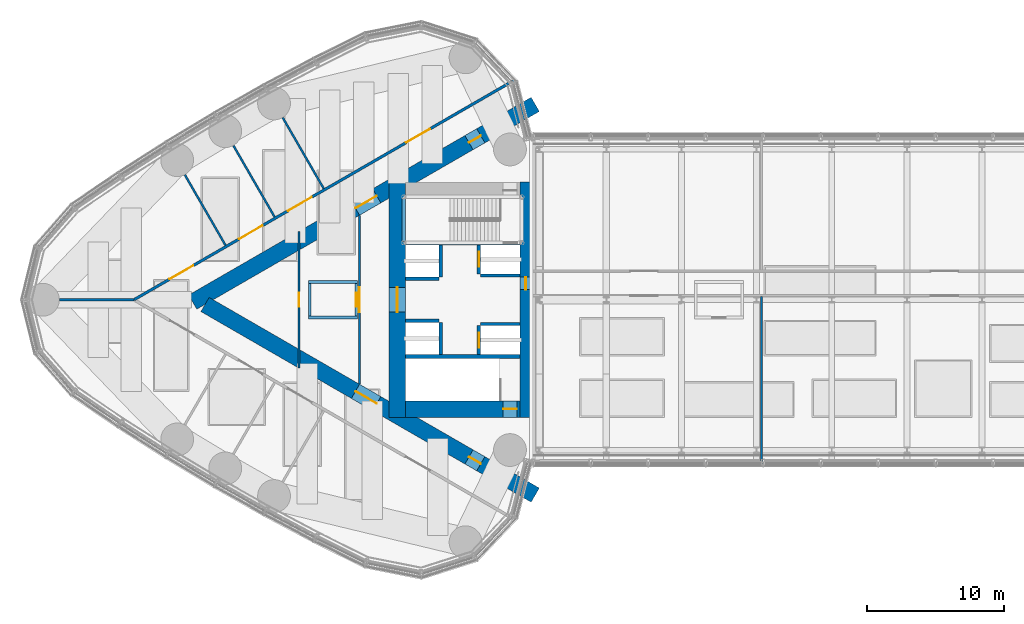
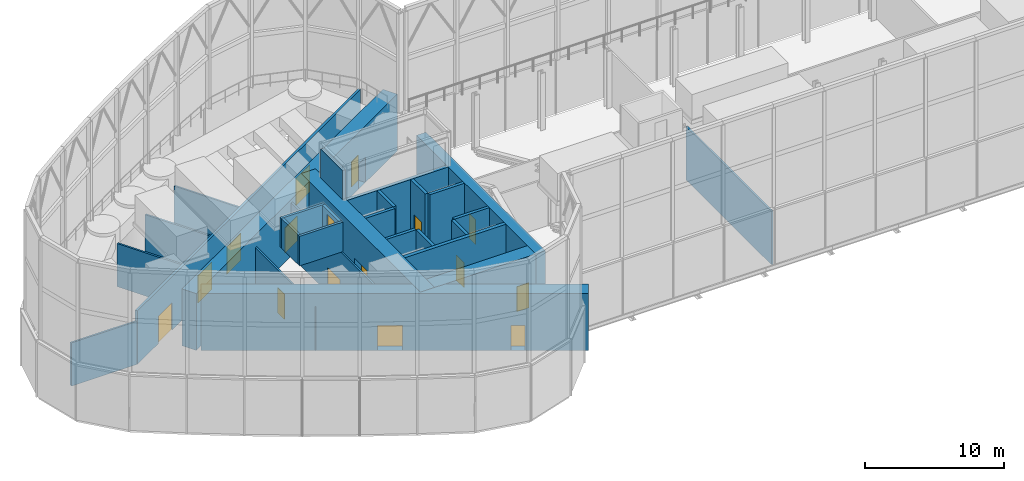
# One storey, part 27 of 33: 28 walls, 16 doors, 16 openings.
"""IFC4 building model written with IfcOpenShell, lengths in metres."""

from ifc_helpers import new_model, si_unit, direction, frame, frame_2d, origin, place, context, subcontext, project, spatial, rectangle, extrude, material, layer, layer_set, type_object, element, fill, save


model = new_model("IFC4")

# Units and contexts
model_context = context("Model", 3, precision=1e-05, world=origin(), true_north=direction((0.0, 1.0)))
body_context = subcontext(model_context, "Body", "Model", "MODEL_VIEW")
ifc_project = project(units=[si_unit("LENGTHUNIT", "METRE"), si_unit("AREAUNIT", "SQUARE_METRE"), si_unit("VOLUMEUNIT", "CUBIC_METRE"), si_unit("PLANEANGLEUNIT", "RADIAN"), si_unit("MASSUNIT", "GRAM", prefix="KILO")], contexts=[model_context])

# Site, building, storey
site_placement = place(None, origin())
site = spatial("IfcSite", under=ifc_project, at=site_placement, CompositionType="ELEMENT")
building_placement = place(site_placement, origin())
building = spatial("IfcBuilding", under=site, at=building_placement, Name="Lancet Gate Hotel", CompositionType="ELEMENT")
storey_placement = place(building_placement, frame((0.0, 0.0, 268.300048828125)))
storey = spatial("IfcBuildingStorey", under=building, at=storey_placement, Name="L70", CompositionType="ELEMENT", Elevation=268.300048828125)

# Wall, openings, doors
ifc_material_1 = material(Name="Concrete C70/85", Category="concrete")
ifc_layer_1 = layer(ifc_material_1, 1.199951171875)
ifc_layer_set_1 = layer_set([ifc_layer_1], Name="Buttress wall 1200")
wall_type_1 = type_object("IfcWallType", Name="Buttress wall 1200", PredefinedType="SHEAR", material=ifc_layer_set_1)
wall_1_placement = place(storey_placement, frame((-27.199951171875, 14.300048828125, 0.0), z_axis=(0.0, 0.0, 1.0), x_axis=(-0.866026593062, -0.499997940104, 0.0)))
wall_1 = element("IfcWall", 1, at=wall_1_placement, inside=storey, type_object=wall_type_1, Name="T1 buttress wall S L70", PredefinedType="SHEAR", context=body_context, shape_type="SweptSolid", body=[
    extrude(rectangle(XDim=28.9462890625, YDim=1.199951171875, at=frame_2d((14.47314453125, 0.0))), origin(), (0.0, 0.0, 1.0), 5.0),
])
opening_1_placement = place(wall_1_placement, frame((4.60009765625, 0.0, 0.0)))
opening_1 = element("IfcOpeningElement", 2, at=opening_1_placement, cuts=wall_1, Name="Opening T1-L70-LS", PredefinedType="OPENING", context=body_context, shape_type="SweptSolid", body=[
    extrude(rectangle(XDim=1.0, YDim=2.199951171875, at=frame_2d((0.5, 1.10009765625))), frame((0.0, 0.60986328125, 0.0), z_axis=(0.0, -1.0, 0.0), x_axis=(1.0, 0.0, 0.0)), (0.0, 0.0, 1.0), 1.219970703125),
])
opening_2_placement = place(wall_1_placement, frame((13.39453125, 0.0, 0.0)))
opening_2 = element("IfcOpeningElement", 3, at=opening_2_placement, cuts=wall_1, Name="Opening T1-L70-LHS", PredefinedType="OPENING", context=body_context, shape_type="SweptSolid", body=[
    extrude(rectangle(XDim=1.800048828125, YDim=2.199951171875, at=frame_2d((0.89990234375, 1.10009765625))), frame((0.0, 0.60986328125, 0.0), z_axis=(0.0, -1.0, 0.0), x_axis=(1.0, 0.0, 0.0)), (0.0, 0.0, 1.0), 1.219970703125),
])
ifc_material_2 = material(Name="Timber door set", Category="wood")
door_type_1 = type_object("IfcDoorType", Name="Lobby double door 1800", OperationType="DOUBLE_DOOR_SINGLE_SWING", PredefinedType="DOOR", material=ifc_material_2)
door_1_placement = place(opening_2_placement, origin())
door_1 = element("IfcDoor", 4, at=door_1_placement, inside=storey, type_object=door_type_1, Name="T1-L70-LHS", OperationType="DOUBLE_DOOR_SINGLE_SWING", OverallHeight=2.199951171875, OverallWidth=1.800048828125, PredefinedType="DOOR", context=body_context, shape_type="SweptSolid", body=[
    extrude(rectangle(XDim=1.800048828125, YDim=2.199951171875, at=frame_2d((0.89990234375, 1.10009765625))), frame((0.0, 0.02490234375, 0.0), z_axis=(0.0, -1.0, 0.0), x_axis=(1.0, 0.0, 0.0)), (0.0, 0.0, 1.0), 0.050048828125),
])
fill(opening_2, door_1)
ifc_material_3 = material(Name="Timber door set", Category="wood")
door_type_2 = type_object("IfcDoorType", Name="Stair lobby door 1000", OperationType="SINGLE_SWING_LEFT", PredefinedType="DOOR", material=ifc_material_3)
door_2_placement = place(opening_1_placement, origin())
door_2 = element("IfcDoor", 5, at=door_2_placement, inside=storey, type_object=door_type_2, Name="T1-L70-LS", OperationType="SINGLE_SWING_LEFT", OverallHeight=2.199951171875, OverallWidth=1.0, PredefinedType="DOOR", context=body_context, shape_type="SweptSolid", body=[
    extrude(rectangle(XDim=1.0, YDim=2.199951171875, at=frame_2d((0.5, 1.10009765625))), frame((0.0, 0.02490234375, 0.0), z_axis=(0.0, -1.0, 0.0), x_axis=(1.0, 0.0, 0.0)), (0.0, 0.0, 1.0), 0.050048828125),
])
fill(opening_1, door_2)

wall_2_placement = place(storey_placement, frame((-27.199951171875, -14.300048828125, 0.0), z_axis=(0.0, 0.0, 1.0), x_axis=(-0.866024021859, 0.500002393557, 0.0)))
wall_2 = element("IfcWall", 6, at=wall_2_placement, inside=storey, type_object=wall_type_1, Name="T1 buttress wall N L70", PredefinedType="SHEAR", context=body_context, shape_type="SweptSolid", body=[
    extrude(rectangle(XDim=27.906982421875, YDim=1.199951171875, at=frame_2d((13.95361328125, 0.0))), origin(), (0.0, 0.0, 1.0), 5.0),
])
opening_3_placement = place(wall_2_placement, frame((4.60009765625, 0.0, 0.0)))
opening_3 = element("IfcOpeningElement", 7, at=opening_3_placement, cuts=wall_2, Name="Opening T1-L70-LN", PredefinedType="OPENING", context=body_context, shape_type="SweptSolid", body=[
    extrude(rectangle(XDim=1.0, YDim=2.199951171875, at=frame_2d((0.5, 1.10009765625))), frame((0.0, 0.60986328125, 0.0), z_axis=(0.0, -1.0, 0.0), x_axis=(1.0, 0.0, 0.0)), (0.0, 0.0, 1.0), 1.219970703125),
])
opening_4_placement = place(wall_2_placement, frame((13.39453125, 0.0, 0.0)))
opening_4 = element("IfcOpeningElement", 8, at=opening_4_placement, cuts=wall_2, Name="Opening T1-L70-LHN", PredefinedType="OPENING", context=body_context, shape_type="SweptSolid", body=[
    extrude(rectangle(XDim=1.800048828125, YDim=2.199951171875, at=frame_2d((0.89990234375, 1.10009765625))), frame((0.0, 0.60986328125, 0.0), z_axis=(0.0, -1.0, 0.0), x_axis=(1.0, 0.0, 0.0)), (0.0, 0.0, 1.0), 1.219970703125),
])
door_3_placement = place(opening_4_placement, origin())
door_3 = element("IfcDoor", 9, at=door_3_placement, inside=storey, type_object=door_type_1, Name="T1-L70-LHN", OperationType="DOUBLE_DOOR_SINGLE_SWING", OverallHeight=2.199951171875, OverallWidth=1.800048828125, PredefinedType="DOOR", context=body_context, shape_type="SweptSolid", body=[
    extrude(rectangle(XDim=1.800048828125, YDim=2.199951171875, at=frame_2d((0.89990234375, 1.10009765625))), frame((0.0, 0.02490234375, 0.0), z_axis=(0.0, -1.0, 0.0), x_axis=(1.0, 0.0, 0.0)), (0.0, 0.0, 1.0), 0.050048828125),
])
fill(opening_4, door_3)
door_4_placement = place(opening_3_placement, origin())
door_4 = element("IfcDoor", 10, at=door_4_placement, inside=storey, type_object=door_type_2, Name="T1-L70-LN", OperationType="SINGLE_SWING_LEFT", OverallHeight=2.199951171875, OverallWidth=1.0, PredefinedType="DOOR", context=body_context, shape_type="SweptSolid", body=[
    extrude(rectangle(XDim=1.0, YDim=2.199951171875, at=frame_2d((0.5, 1.10009765625))), frame((0.0, 0.02490234375, 0.0), z_axis=(0.0, -1.0, 0.0), x_axis=(1.0, 0.0, 0.0)), (0.0, 0.0, 1.0), 0.050048828125),
])
fill(opening_3, door_4)

# Wall, opening, door
ifc_material_4 = material(Name="Concrete C70/85", Category="concrete")
ifc_layer_2 = layer(ifc_material_4, 1.199951171875)
ifc_layer_set_2 = layer_set([ifc_layer_2], Name="Core wall 1200")
wall_type_2 = type_object("IfcWallType", Name="Core wall 1200", PredefinedType="SHEAR", material=ifc_layer_set_2)
wall_3_placement = place(storey_placement, frame((-37.300048828125, 8.60009765625, 0.0), z_axis=(0.0, 0.0, 1.0), x_axis=(0.0, -1.0, 0.0)))
wall_3 = element("IfcWall", 11, at=wall_3_placement, inside=storey, type_object=wall_type_2, Name="T1 core wall back L70", PredefinedType="SHEAR", context=body_context, shape_type="SweptSolid", body=[
    extrude(rectangle(XDim=17.2001953125, YDim=1.199951171875, at=frame_2d((8.60009765625, 0.0))), origin(), (0.0, 0.0, 1.0), 5.0),
])
opening_5_placement = place(wall_3_placement, frame((7.699951171875, 0.0, 0.0)))
opening_5 = element("IfcOpeningElement", 12, at=opening_5_placement, cuts=wall_3, Name="Opening T1-L70-LL", PredefinedType="OPENING", context=body_context, shape_type="SweptSolid", body=[
    extrude(rectangle(XDim=1.800048828125, YDim=2.199951171875, at=frame_2d((0.89990234375, 1.10009765625))), frame((0.0, 0.60986328125, 0.0), z_axis=(0.0, -1.0, 0.0), x_axis=(1.0, 0.0, 0.0)), (0.0, 0.0, 1.0), 1.219970703125),
])
door_5_placement = place(opening_5_placement, origin())
door_5 = element("IfcDoor", 13, at=door_5_placement, inside=storey, type_object=door_type_1, Name="T1-L70-LL", OperationType="DOUBLE_DOOR_SINGLE_SWING", OverallHeight=2.199951171875, OverallWidth=1.800048828125, PredefinedType="DOOR", context=body_context, shape_type="SweptSolid", body=[
    extrude(rectangle(XDim=1.800048828125, YDim=2.199951171875, at=frame_2d((0.89990234375, 1.10009765625))), frame((0.0, 0.02490234375, 0.0), z_axis=(0.0, -1.0, 0.0), x_axis=(1.0, 0.0, 0.0)), (0.0, 0.0, 1.0), 0.050048828125),
])
fill(opening_5, door_5)

wall_4_placement = place(storey_placement, frame((-28.300048828125, -8.0, 0.0), z_axis=(0.0, 0.0, 1.0), x_axis=(-1.0, 0.0, 0.0)))
wall_4 = element("IfcWall", 14, at=wall_4_placement, inside=storey, type_object=wall_type_2, Name="T1 core wall side-N L70", PredefinedType="SHEAR", context=body_context, shape_type="SweptSolid", body=[
    extrude(rectangle(XDim=8.39990234375, YDim=1.199951171875, at=frame_2d((4.199951171875, 0.0))), origin(), (0.0, 0.0, 1.0), 5.0),
])
opening_6_placement = place(wall_4_placement, frame((0.25, 0.0, 0.0)))
opening_6 = element("IfcOpeningElement", 15, at=opening_6_placement, cuts=wall_4, Name="Opening T1-L70-ST2", PredefinedType="OPENING", context=body_context, shape_type="SweptSolid", body=[
    extrude(rectangle(XDim=1.0, YDim=2.199951171875, at=frame_2d((0.5, 1.10009765625))), frame((0.0, 0.60986328125, 0.0), z_axis=(0.0, -1.0, 0.0), x_axis=(1.0, 0.0, 0.0)), (0.0, 0.0, 1.0), 1.219970703125),
])
ifc_material_5 = material(Name="Timber door set", Category="wood")
door_type_3 = type_object("IfcDoorType", Name="Stair door 1000", OperationType="SINGLE_SWING_RIGHT", PredefinedType="DOOR", material=ifc_material_5)
door_6_placement = place(opening_6_placement, origin())
door_6 = element("IfcDoor", 16, at=door_6_placement, inside=storey, type_object=door_type_3, Name="T1-L70-ST2", OperationType="SINGLE_SWING_RIGHT", OverallHeight=2.199951171875, OverallWidth=1.0, PredefinedType="DOOR", context=body_context, shape_type="SweptSolid", body=[
    extrude(rectangle(XDim=1.0, YDim=2.199951171875, at=frame_2d((0.5, 1.10009765625))), frame((0.0, 0.02490234375, 0.0), z_axis=(0.0, -1.0, 0.0), x_axis=(1.0, 0.0, 0.0)), (0.0, 0.0, 1.0), 0.050048828125),
])
fill(opening_6, door_6)

ifc_material_6 = material(Name="Concrete C70/85", Category="concrete")
ifc_layer_3 = layer(ifc_material_6, 0.800048828125)
ifc_layer_set_3 = layer_set([ifc_layer_3], Name="Core wall 800")
wall_type_3 = type_object("IfcWallType", Name="Core wall 800", PredefinedType="SHEAR", material=ifc_layer_set_3)
wall_5_placement = place(storey_placement, frame((-27.89990234375, 8.60009765625, 0.0), z_axis=(0.0, 0.0, 1.0), x_axis=(0.0, -1.0, 0.0)))
wall_5 = element("IfcWall", 17, at=wall_5_placement, inside=storey, type_object=wall_type_3, Name="T1 core wall front L70", PredefinedType="SHEAR", context=body_context, shape_type="SweptSolid", body=[
    extrude(rectangle(XDim=17.2001953125, YDim=0.800048828125, at=frame_2d((8.60009765625, 0.0))), origin(), (0.0, 0.0, 1.0), 5.0),
])
opening_7_placement = place(wall_5_placement, frame((6.949951171875, 0.0, 0.0)))
opening_7 = element("IfcOpeningElement", 18, at=opening_7_placement, cuts=wall_5, Name="Opening T1-L70-BR", PredefinedType="OPENING", context=body_context, shape_type="SweptSolid", body=[
    extrude(rectangle(XDim=0.89990234375, YDim=2.199951171875, at=frame_2d((0.449951171875, 1.10009765625))), frame((0.0, 0.409912109375, 0.0), z_axis=(0.0, -1.0, 0.0), x_axis=(1.0, 0.0, 0.0)), (0.0, 0.0, 1.0), 0.820068359375),
])
ifc_material_7 = material(Name="Steel door set", Category="steel")
door_type_4 = type_object("IfcDoorType", Name="Bridge fire door 900", OperationType="SINGLE_SWING_LEFT", PredefinedType="DOOR", material=ifc_material_7)
door_7_placement = place(opening_7_placement, origin())
door_7 = element("IfcDoor", 19, at=door_7_placement, inside=storey, type_object=door_type_4, Name="T1-L70-BR", OperationType="SINGLE_SWING_LEFT", OverallHeight=2.199951171875, OverallWidth=0.89990234375, PredefinedType="DOOR", context=body_context, shape_type="SweptSolid", body=[
    extrude(rectangle(XDim=0.89990234375, YDim=2.199951171875, at=frame_2d((0.449951171875, 1.10009765625))), frame((0.0, 0.02490234375, 0.0), z_axis=(0.0, -1.0, 0.0), x_axis=(1.0, 0.0, 0.0)), (0.0, 0.0, 1.0), 0.050048828125),
])
fill(opening_7, door_7)

# Wall, openings, doors
ifc_material_8 = material(Name="Gypsum board partition")
ifc_layer_4 = layer(ifc_material_8, 0.199951171875)
ifc_layer_set_4 = layer_set([ifc_layer_4], Name="Corridor wall 200")
wall_type_4 = type_object("IfcWallType", Name="Corridor wall 200", PredefinedType="PARTITIONING", material=ifc_layer_set_4)
wall_6_placement = place(storey_placement, frame((-28.737060546875, 16.068359375, 0.0), z_axis=(0.0, 0.0, 1.0), x_axis=(-0.866026057212, -0.499998868229, 0.0)))
wall_6 = element("IfcWall", 20, at=wall_6_placement, inside=storey, type_object=wall_type_4, Name="T1 corridor wall 200 L70", PredefinedType="PARTITIONING", context=body_context, shape_type="SweptSolid", body=[
    extrude(rectangle(XDim=32.13671875, YDim=0.199951171875, at=frame_2d((16.068359375, 0.0))), origin(), (0.0, 0.0, 1.0), 4.699951171875),
])
opening_8_placement = place(wall_6_placement, frame((7.1337890625, 0.0, 0.0)))
opening_8 = element("IfcOpeningElement", 21, at=opening_8_placement, cuts=wall_6, Name="Opening T1-L70-K201", PredefinedType="OPENING", context=body_context, shape_type="SweptSolid", body=[
    extrude(rectangle(XDim=2.0, YDim=2.39990234375, at=frame_2d((1.0, 1.199951171875))), frame((0.0, 0.10986328125, 0.0), z_axis=(0.0, -1.0, 0.0), x_axis=(1.0, 0.0, 0.0)), (0.0, 0.0, 1.0), 0.219970703125),
])
opening_9_placement = place(wall_6_placement, frame((17.117431640625, 0.0, 0.0)))
opening_9 = element("IfcOpeningElement", 22, at=opening_9_placement, cuts=wall_6, Name="Opening T1-L70-K202", PredefinedType="OPENING", context=body_context, shape_type="SweptSolid", body=[
    extrude(rectangle(XDim=2.0, YDim=2.39990234375, at=frame_2d((1.0, 1.199951171875))), frame((0.0, 0.10986328125, 0.0), z_axis=(0.0, -1.0, 0.0), x_axis=(1.0, 0.0, 0.0)), (0.0, 0.0, 1.0), 0.219970703125),
])
opening_10_placement = place(wall_6_placement, frame((21.26611328125, 0.0, 0.0)))
opening_10 = element("IfcOpeningElement", 23, at=opening_10_placement, cuts=wall_6, Name="Opening T1-L70-K203", PredefinedType="OPENING", context=body_context, shape_type="SweptSolid", body=[
    extrude(rectangle(XDim=2.0, YDim=2.39990234375, at=frame_2d((1.0, 1.199951171875))), frame((0.0, 0.10986328125, 0.0), z_axis=(0.0, -1.0, 0.0), x_axis=(1.0, 0.0, 0.0)), (0.0, 0.0, 1.0), 0.219970703125),
])
opening_11_placement = place(wall_6_placement, frame((27.126220703125, 0.0, 0.0)))
opening_11 = element("IfcOpeningElement", 24, at=opening_11_placement, cuts=wall_6, Name="Opening T1-L70-K204", PredefinedType="OPENING", context=body_context, shape_type="SweptSolid", body=[
    extrude(rectangle(XDim=2.0, YDim=2.39990234375, at=frame_2d((1.0, 1.199951171875))), frame((0.0, 0.10986328125, 0.0), z_axis=(0.0, -1.0, 0.0), x_axis=(1.0, 0.0, 0.0)), (0.0, 0.0, 1.0), 0.219970703125),
])
ifc_material_9 = material(Name="Timber door set", Category="wood")
door_type_5 = type_object("IfcDoorType", Name="Plant room double door 2000", OperationType="DOUBLE_DOOR_SINGLE_SWING", PredefinedType="DOOR", material=ifc_material_9)
door_8_placement = place(opening_8_placement, origin())
door_8 = element("IfcDoor", 25, at=door_8_placement, inside=storey, type_object=door_type_5, Name="T1-L70-K201", OperationType="DOUBLE_DOOR_SINGLE_SWING", OverallHeight=2.39990234375, OverallWidth=2.0, PredefinedType="DOOR", context=body_context, shape_type="SweptSolid", body=[
    extrude(rectangle(XDim=2.0, YDim=2.39990234375, at=frame_2d((1.0, 1.199951171875))), frame((0.0, 0.02490234375, 0.0), z_axis=(0.0, -1.0, 0.0), x_axis=(1.0, 0.0, 0.0)), (0.0, 0.0, 1.0), 0.050048828125),
])
fill(opening_8, door_8)
door_9_placement = place(opening_9_placement, origin())
door_9 = element("IfcDoor", 26, at=door_9_placement, inside=storey, type_object=door_type_5, Name="T1-L70-K202", OperationType="DOUBLE_DOOR_SINGLE_SWING", OverallHeight=2.39990234375, OverallWidth=2.0, PredefinedType="DOOR", context=body_context, shape_type="SweptSolid", body=[
    extrude(rectangle(XDim=2.0, YDim=2.39990234375, at=frame_2d((1.0, 1.199951171875))), frame((0.0, 0.02490234375, 0.0), z_axis=(0.0, -1.0, 0.0), x_axis=(1.0, 0.0, 0.0)), (0.0, 0.0, 1.0), 0.050048828125),
])
fill(opening_9, door_9)
door_10_placement = place(opening_10_placement, origin())
door_10 = element("IfcDoor", 27, at=door_10_placement, inside=storey, type_object=door_type_5, Name="T1-L70-K203", OperationType="DOUBLE_DOOR_SINGLE_SWING", OverallHeight=2.39990234375, OverallWidth=2.0, PredefinedType="DOOR", context=body_context, shape_type="SweptSolid", body=[
    extrude(rectangle(XDim=2.0, YDim=2.39990234375, at=frame_2d((1.0, 1.199951171875))), frame((0.0, 0.02490234375, 0.0), z_axis=(0.0, -1.0, 0.0), x_axis=(1.0, 0.0, 0.0)), (0.0, 0.0, 1.0), 0.050048828125),
])
fill(opening_10, door_10)
door_11_placement = place(opening_11_placement, origin())
door_11 = element("IfcDoor", 28, at=door_11_placement, inside=storey, type_object=door_type_5, Name="T1-L70-K204", OperationType="DOUBLE_DOOR_SINGLE_SWING", OverallHeight=2.39990234375, OverallWidth=2.0, PredefinedType="DOOR", context=body_context, shape_type="SweptSolid", body=[
    extrude(rectangle(XDim=2.0, YDim=2.39990234375, at=frame_2d((1.0, 1.199951171875))), frame((0.0, 0.02490234375, 0.0), z_axis=(0.0, -1.0, 0.0), x_axis=(1.0, 0.0, 0.0)), (0.0, 0.0, 1.0), 0.050048828125),
])
fill(opening_11, door_11)

# Wall, opening, door
ifc_material_10 = material(Name="Concrete C50/60", Category="concrete")
ifc_layer_5 = layer(ifc_material_10, 0.25)
ifc_layer_set_5 = layer_set([ifc_layer_5], Name="Lift shaft wall 250")
wall_type_5 = type_object("IfcWallType", Name="Lift shaft wall 250", PredefinedType="SHEAR", material=ifc_layer_set_5)
wall_7_placement = place(storey_placement, frame((-31.324951171875, 4.0, 0.0), z_axis=(0.0, 0.0, 1.0), x_axis=(0.0, -1.0, 0.0)))
wall_7 = element("IfcWall", 29, at=wall_7_placement, inside=storey, type_object=wall_type_5, Name="T1 core wall row1-S L70", PredefinedType="SHEAR", context=body_context, shape_type="SweptSolid", body=[
    extrude(rectangle(XDim=2.10009765625, YDim=0.25, at=frame_2d((1.050048828125, 0.0))), origin(), (0.0, 0.0, 1.0), 5.0),
])
opening_12_placement = place(wall_7_placement, frame((0.5, 0.0, 0.0)))
opening_12 = element("IfcOpeningElement", 30, at=opening_12_placement, cuts=wall_7, Name="Opening T1-SL1-L70", PredefinedType="OPENING", context=body_context, shape_type="SweptSolid", body=[
    extrude(rectangle(XDim=1.10009765625, YDim=2.199951171875, at=frame_2d((0.550048828125, 1.10009765625))), frame((0.0, 0.135009765625, 0.0), z_axis=(0.0, -1.0, 0.0), x_axis=(1.0, 0.0, 0.0)), (0.0, 0.0, 1.0), 0.27001953125),
])
ifc_material_11 = material(Name="Timber door set", Category="wood")
door_type_6 = type_object("IfcDoorType", Name="Service lift landing door 1100", OperationType="SLIDING_TO_LEFT", PredefinedType="USERDEFINED", material=ifc_material_11)
door_12_placement = place(opening_12_placement, origin())
door_12 = element("IfcDoor", 31, at=door_12_placement, inside=storey, type_object=door_type_6, Name="T1-SL1-L70", ObjectType="LIFT LANDING DOOR", OperationType="SLIDING_TO_LEFT", OverallHeight=2.199951171875, OverallWidth=1.10009765625, PredefinedType="USERDEFINED", context=body_context, shape_type="SweptSolid", body=[
    extrude(rectangle(XDim=1.10009765625, YDim=2.199951171875, at=frame_2d((0.550048828125, 1.10009765625))), frame((0.0, 0.02490234375, 0.0), z_axis=(0.0, -1.0, 0.0), x_axis=(1.0, 0.0, 0.0)), (0.0, 0.0, 1.0), 0.050048828125),
])
fill(opening_12, door_12)

# Walls
wall_8_placement = place(storey_placement, frame((-34.125, 4.0, 0.0), z_axis=(0.0, 0.0, 1.0), x_axis=(0.0, -1.0, 0.0)))
element("IfcWall", 32, at=wall_8_placement, inside=storey, type_object=wall_type_5, Name="T1 core wall row2-S L70", PredefinedType="SHEAR", context=body_context, shape_type="SweptSolid", body=[
    extrude(rectangle(XDim=2.35009765625, YDim=0.25, at=frame_2d((1.175048828125, 0.0))), origin(), (0.0, 0.0, 1.0), 5.0),
])
wall_9_placement = place(storey_placement, frame((-28.300048828125, 1.77490234375, 0.0), z_axis=(0.0, 0.0, 1.0), x_axis=(-1.0, 0.0, 0.0)))
element("IfcWall", 33, at=wall_9_placement, inside=storey, type_object=wall_type_5, Name="T1 core wall pass1-S L70", PredefinedType="SHEAR", context=body_context, shape_type="SweptSolid", body=[
    extrude(rectangle(XDim=2.89990234375, YDim=0.25, at=frame_2d((1.449951171875, 0.0))), origin(), (0.0, 0.0, 1.0), 5.0),
])
wall_10_placement = place(storey_placement, frame((-34.25, 1.52490234375, 0.0), z_axis=(0.0, 0.0, 1.0), x_axis=(-1.0, 0.0, 0.0)))
element("IfcWall", 34, at=wall_10_placement, inside=storey, type_object=wall_type_5, Name="T1 core wall pass2-S L70", PredefinedType="SHEAR", context=body_context, shape_type="SweptSolid", body=[
    extrude(rectangle(XDim=2.449951171875, YDim=0.25, at=frame_2d((1.22509765625, 0.0))), origin(), (0.0, 0.0, 1.0), 5.0),
])

# Wall, opening, door
wall_11_placement = place(storey_placement, frame((-31.324951171875, -1.89990234375, 0.0), z_axis=(0.0, 0.0, 1.0), x_axis=(0.0, -1.0, 0.0)))
wall_11 = element("IfcWall", 35, at=wall_11_placement, inside=storey, type_object=wall_type_5, Name="T1 core wall row1-N L70", PredefinedType="SHEAR", context=body_context, shape_type="SweptSolid", body=[
    extrude(rectangle(XDim=2.10009765625, YDim=0.25, at=frame_2d((1.050048828125, 0.0))), origin(), (0.0, 0.0, 1.0), 5.0),
])
opening_13_placement = place(wall_11_placement, frame((0.5, 0.0, 0.0)))
opening_13 = element("IfcOpeningElement", 36, at=opening_13_placement, cuts=wall_11, Name="Opening T1-FL2-L70", PredefinedType="OPENING", context=body_context, shape_type="SweptSolid", body=[
    extrude(rectangle(XDim=1.10009765625, YDim=2.199951171875, at=frame_2d((0.550048828125, 1.10009765625))), frame((0.0, 0.135009765625, 0.0), z_axis=(0.0, -1.0, 0.0), x_axis=(1.0, 0.0, 0.0)), (0.0, 0.0, 1.0), 0.27001953125),
])
ifc_material_12 = material(Name="Steel door set", Category="steel")
door_type_7 = type_object("IfcDoorType", Name="Firefighting lift landing door 1100", OperationType="SLIDING_TO_LEFT", PredefinedType="USERDEFINED", material=ifc_material_12)
door_13_placement = place(opening_13_placement, origin())
door_13 = element("IfcDoor", 37, at=door_13_placement, inside=storey, type_object=door_type_7, Name="T1-FL2-L70", ObjectType="LIFT LANDING DOOR", OperationType="SLIDING_TO_LEFT", OverallHeight=2.199951171875, OverallWidth=1.10009765625, PredefinedType="USERDEFINED", context=body_context, shape_type="SweptSolid", body=[
    extrude(rectangle(XDim=1.10009765625, YDim=2.199951171875, at=frame_2d((0.550048828125, 1.10009765625))), frame((0.0, 0.02490234375, 0.0), z_axis=(0.0, -1.0, 0.0), x_axis=(1.0, 0.0, 0.0)), (0.0, 0.0, 1.0), 0.050048828125),
])
fill(opening_13, door_13)

# Walls
wall_12_placement = place(storey_placement, frame((-34.125, -1.64990234375, 0.0), z_axis=(0.0, 0.0, 1.0), x_axis=(0.0, -1.0, 0.0)))
element("IfcWall", 38, at=wall_12_placement, inside=storey, type_object=wall_type_5, Name="T1 core wall row2-N L70", PredefinedType="SHEAR", context=body_context, shape_type="SweptSolid", body=[
    extrude(rectangle(XDim=2.35009765625, YDim=0.25, at=frame_2d((1.175048828125, 0.0))), origin(), (0.0, 0.0, 1.0), 5.0),
])
wall_13_placement = place(storey_placement, frame((-28.300048828125, -1.77490234375, 0.0), z_axis=(0.0, 0.0, 1.0), x_axis=(-1.0, 0.0, 0.0)))
element("IfcWall", 39, at=wall_13_placement, inside=storey, type_object=wall_type_5, Name="T1 core wall pass1-N L70", PredefinedType="SHEAR", context=body_context, shape_type="SweptSolid", body=[
    extrude(rectangle(XDim=2.89990234375, YDim=0.25, at=frame_2d((1.449951171875, 0.0))), origin(), (0.0, 0.0, 1.0), 5.0),
])
wall_14_placement = place(storey_placement, frame((-34.25, -1.52490234375, 0.0), z_axis=(0.0, 0.0, 1.0), x_axis=(-1.0, 0.0, 0.0)))
element("IfcWall", 40, at=wall_14_placement, inside=storey, type_object=wall_type_5, Name="T1 core wall pass2-N L70", PredefinedType="SHEAR", context=body_context, shape_type="SweptSolid", body=[
    extrude(rectangle(XDim=2.449951171875, YDim=0.25, at=frame_2d((1.22509765625, 0.0))), origin(), (0.0, 0.0, 1.0), 5.0),
])
ifc_material_13 = material(Name="Gypsum board partition")
ifc_layer_6 = layer(ifc_material_13, 0.14990234375)
ifc_layer_set_6 = layer_set([ifc_layer_6], Name="Party wall 150")
wall_type_6 = type_object("IfcWallType", Name="Party wall 150", PredefinedType="PARTITIONING", material=ifc_layer_set_6)
wall_15_placement = place(storey_placement, frame((-42.680419921875, 8.133544921875, 0.0), z_axis=(0.0, 0.0, 1.0), x_axis=(-0.499984479505, 0.866034364361, 0.0)))
element("IfcWall", 41, at=wall_15_placement, inside=storey, type_object=wall_type_6, Name="T1 party wall 150 L70", PredefinedType="PARTITIONING", context=body_context, shape_type="SweptSolid", body=[
    extrude(rectangle(XDim=5.995361328125, YDim=0.14990234375, at=frame_2d((2.99755859375, 0.0))), origin(), (0.0, 0.0, 1.0), 3.800048828125),
])
wall_16_placement = place(storey_placement, frame((-46.273681640625, 6.05908203125, 0.0), z_axis=(0.0, 0.0, 1.0), x_axis=(-0.500020471368, 0.866013584312, 0.0)))
element("IfcWall", 42, at=wall_16_placement, inside=storey, type_object=wall_type_6, Name="T1 party wall 150 L70", PredefinedType="PARTITIONING", context=body_context, shape_type="SweptSolid", body=[
    extrude(rectangle(XDim=6.027587890625, YDim=0.14990234375, at=frame_2d((3.013671875, 0.0))), origin(), (0.0, 0.0, 1.0), 3.800048828125),
])
wall_17_placement = place(storey_placement, frame((-49.866455078125, 3.98486328125, 0.0), z_axis=(0.0, 0.0, 1.0), x_axis=(-0.500000694566, 0.866025002776, 0.0)))
element("IfcWall", 43, at=wall_17_placement, inside=storey, type_object=wall_type_6, Name="T1 party wall 150 L70", PredefinedType="PARTITIONING", context=body_context, shape_type="SweptSolid", body=[
    extrude(rectangle(XDim=5.94970703125, YDim=0.14990234375, at=frame_2d((2.974853515625, 0.0))), origin(), (0.0, 0.0, 1.0), 3.800048828125),
])
wall_18_placement = place(storey_placement, frame((-56.568359375, 0.0, 0.0), z_axis=(0.0, 0.0, 1.0), x_axis=(-1.0, 0.0, 0.0)))
element("IfcWall", 44, at=wall_18_placement, inside=storey, type_object=wall_type_6, Name="T1 party wall 150 L70", PredefinedType="PARTITIONING", context=body_context, shape_type="SweptSolid", body=[
    extrude(rectangle(XDim=5.446044921875, YDim=0.14990234375, at=frame_2d((2.72314453125, 0.0))), origin(), (0.0, 0.0, 1.0), 3.800048828125),
])
ifc_material_14 = material(Name="Dense concrete blockwork", Category="masonry")
ifc_layer_7 = layer(ifc_material_14, 0.199951171875)
ifc_layer_set_7 = layer_set([ifc_layer_7], Name="Roof access store wall 200")
wall_type_7 = type_object("IfcWallType", Name="Roof access store wall 200", PredefinedType="SOLIDWALL", material=ifc_layer_set_7)
for number, where, z_axis, x_axis, name in (
    (45, (-43.800048828125, -1.300048828125, 5.0), (0.0, 0.0, 1.0), (1.0, 0.0, 0.0), "T1 roof access store wall south"),
    (46, (-40.199951171875, 1.300048828125, 5.0), (0.0, 0.0, 1.0), (-1.0, 0.0, 0.0), "T1 roof access store wall north"),
):
    element("IfcWall", number, at=place(storey_placement, frame(where, z_axis=z_axis, x_axis=x_axis)), inside=storey, type_object=wall_type_7, Name=name, PredefinedType="SOLIDWALL", context=body_context, shape_type="SweptSolid", body=[
        extrude(rectangle(XDim=3.60009765625, YDim=0.199951171875, at=frame_2d((1.800048828125, 0.0))), origin(), (0.0, 0.0, 1.0), 2.599853515625),
    ])
wall_19_placement = place(storey_placement, frame((-43.699951171875, 1.199951171875, 5.0), z_axis=(0.0, 0.0, 1.0), x_axis=(0.0, -1.0, 0.0)))
element("IfcWall", 47, at=wall_19_placement, inside=storey, type_object=wall_type_7, Name="T1 roof access store wall west", PredefinedType="SOLIDWALL", context=body_context, shape_type="SweptSolid", body=[
    extrude(rectangle(XDim=2.39990234375, YDim=0.199951171875, at=frame_2d((1.199951171875, 0.0))), origin(), (0.0, 0.0, 1.0), 2.599853515625),
])

# Wall, opening, door
wall_20_placement = place(storey_placement, frame((-40.300048828125, -1.199951171875, 5.0), z_axis=(0.0, 0.0, 1.0), x_axis=(0.0, 1.0, 0.0)))
wall_20 = element("IfcWall", 48, at=wall_20_placement, inside=storey, type_object=wall_type_7, Name="T1 roof access store wall east", PredefinedType="SOLIDWALL", context=body_context, shape_type="SweptSolid", body=[
    extrude(rectangle(XDim=2.39990234375, YDim=0.199951171875, at=frame_2d((1.199951171875, 0.0))), origin(), (0.0, 0.0, 1.0), 2.599853515625),
])
opening_14_placement = place(wall_20_placement, frame((0.699951171875, 0.0, 0.0)))
opening_14 = element("IfcOpeningElement", 49, at=opening_14_placement, cuts=wall_20, Name="Opening T1-RS", PredefinedType="OPENING", context=body_context, shape_type="SweptSolid", body=[
    extrude(rectangle(XDim=1.0, YDim=2.199951171875, at=frame_2d((0.5, 1.10009765625))), frame((0.0, 0.10986328125, 0.0), z_axis=(0.0, -1.0, 0.0), x_axis=(1.0, 0.0, 0.0)), (0.0, 0.0, 1.0), 0.219970703125),
])
ifc_material_15 = material(Name="Steel door set", Category="steel")
door_type_8 = type_object("IfcDoorType", Name="Roof access door 1000 external", OperationType="SINGLE_SWING_LEFT", PredefinedType="DOOR", material=ifc_material_15)
door_14_placement = place(opening_14_placement, origin())
door_14 = element("IfcDoor", 50, at=door_14_placement, inside=storey, type_object=door_type_8, Name="T1-RS", OperationType="SINGLE_SWING_LEFT", OverallHeight=2.199951171875, OverallWidth=1.0, PredefinedType="DOOR", context=body_context, shape_type="SweptSolid", body=[
    extrude(rectangle(XDim=1.0, YDim=2.199951171875, at=frame_2d((0.5, 1.10009765625))), frame((0.0, 0.02490234375, 0.0), z_axis=(0.0, -1.0, 0.0), x_axis=(1.0, 0.0, 0.0)), (0.0, 0.0, 1.0), 0.050048828125),
])
fill(opening_14, door_14)

ifc_material_16 = material(Name="Gypsum board partition")
ifc_layer_8 = layer(ifc_material_16, 0.14990234375)
ifc_layer_set_8 = layer_set([ifc_layer_8], Name="Service room wall 150")
wall_type_8 = type_object("IfcWallType", Name="Service room wall 150", PredefinedType="PARTITIONING", material=ifc_layer_set_8)
wall_21_placement = place(storey_placement, frame((-40.074951171875, 6.173828125, 0.0), z_axis=(0.0, 0.0, 1.0), x_axis=(0.0, -1.0, 0.0)))
wall_21 = element("IfcWall", 51, at=wall_21_placement, inside=storey, type_object=wall_type_8, Name="T1 service room wall 150 L70", PredefinedType="PARTITIONING", context=body_context, shape_type="SweptSolid", body=[
    extrude(rectangle(XDim=12.34765625, YDim=0.14990234375, at=frame_2d((6.173828125, 0.0))), origin(), (0.0, 0.0, 1.0), 4.699951171875),
])
opening_15_placement = place(wall_21_placement, frame((5.273681640625, 0.0, 0.0)))
opening_15 = element("IfcOpeningElement", 52, at=opening_15_placement, cuts=wall_21, Name="Opening T1-L70-LH", PredefinedType="OPENING", context=body_context, shape_type="SweptSolid", body=[
    extrude(rectangle(XDim=1.800048828125, YDim=2.199951171875, at=frame_2d((0.89990234375, 1.10009765625))), frame((0.0, 0.0849609375, 0.0), z_axis=(0.0, -1.0, 0.0), x_axis=(1.0, 0.0, 0.0)), (0.0, 0.0, 1.0), 0.169921875),
])
door_15_placement = place(opening_15_placement, origin())
door_15 = element("IfcDoor", 53, at=door_15_placement, inside=storey, type_object=door_type_1, Name="T1-L70-LH", OperationType="DOUBLE_DOOR_SINGLE_SWING", OverallHeight=2.199951171875, OverallWidth=1.800048828125, PredefinedType="DOOR", context=body_context, shape_type="SweptSolid", body=[
    extrude(rectangle(XDim=1.800048828125, YDim=2.199951171875, at=frame_2d((0.89990234375, 1.10009765625))), frame((0.0, 0.02490234375, 0.0), z_axis=(0.0, -1.0, 0.0), x_axis=(1.0, 0.0, 0.0)), (0.0, 0.0, 1.0), 0.050048828125),
])
fill(opening_15, door_15)

wall_22_placement = place(storey_placement, frame((-44.5, 5.004638671875, 0.0), z_axis=(0.0, 0.0, 1.0), x_axis=(0.0, -1.0, 0.0)))
wall_22 = element("IfcWall", 54, at=wall_22_placement, inside=storey, type_object=wall_type_8, Name="T1 service room wall 150 L70", PredefinedType="PARTITIONING", context=body_context, shape_type="SweptSolid", body=[
    extrude(rectangle(XDim=10.00927734375, YDim=0.14990234375, at=frame_2d((5.004638671875, 0.0))), origin(), (0.0, 0.0, 1.0), 3.849853515625),
])
opening_16_placement = place(wall_22_placement, frame((4.504638671875, 0.0, 0.0)))
opening_16 = element("IfcOpeningElement", 55, at=opening_16_placement, cuts=wall_22, Name="Opening T1-L70-SV", PredefinedType="OPENING", context=body_context, shape_type="SweptSolid", body=[
    extrude(rectangle(XDim=1.0, YDim=2.199951171875, at=frame_2d((0.5, 1.10009765625))), frame((0.0, 0.0849609375, 0.0), z_axis=(0.0, -1.0, 0.0), x_axis=(1.0, 0.0, 0.0)), (0.0, 0.0, 1.0), 0.169921875),
])
ifc_material_17 = material(Name="Timber door set", Category="wood")
door_type_9 = type_object("IfcDoorType", Name="Service door 1000", OperationType="SINGLE_SWING_LEFT", PredefinedType="DOOR", material=ifc_material_17)
door_16_placement = place(opening_16_placement, origin())
door_16 = element("IfcDoor", 56, at=door_16_placement, inside=storey, type_object=door_type_9, Name="T1-L70-SV", OperationType="SINGLE_SWING_LEFT", OverallHeight=2.199951171875, OverallWidth=1.0, PredefinedType="DOOR", context=body_context, shape_type="SweptSolid", body=[
    extrude(rectangle(XDim=1.0, YDim=2.199951171875, at=frame_2d((0.5, 1.10009765625))), frame((0.0, 0.02490234375, 0.0), z_axis=(0.0, -1.0, 0.0), x_axis=(1.0, 0.0, 0.0)), (0.0, 0.0, 1.0), 0.050048828125),
])
fill(opening_16, door_16)

# Walls
wall_23_placement = place(storey_placement, frame((-10.64990234375, -12.070068359375, 0.0), z_axis=(0.0, 0.0, 1.0), x_axis=(0.0, 1.0, 0.0)))
element("IfcWall", 57, at=wall_23_placement, inside=storey, type_object=wall_type_8, Name="Bridge block service room wall 150 L70", PredefinedType="PARTITIONING", context=body_context, shape_type="SweptSolid", body=[
    extrude(rectangle(XDim=12.295166015625, YDim=0.14990234375, at=frame_2d((6.1474609375, 0.0))), origin(), (0.0, 0.0, 1.0), 4.699951171875),
])
ifc_material_18 = material(Name="Concrete C50/60", Category="concrete")
ifc_layer_9 = layer(ifc_material_18, 0.300048828125)
ifc_layer_set_9 = layer_set([ifc_layer_9], Name="Stair enclosure wall 300")
wall_type_9 = type_object("IfcWallType", Name="Stair enclosure wall 300", PredefinedType="SHEAR", material=ifc_layer_set_9)
for number, where, z_axis, x_axis, name in (
    (58, (-28.300048828125, 4.14990234375, 0.0), (0.0, 0.0, 1.0), (-1.0, 0.0, 0.0), "T1 core wall stair-S L70"),
    (59, (-28.300048828125, -4.14990234375, 0.0), (0.0, 0.0, 1.0), (-1.0, 0.0, 0.0), "T1 core wall stair-N L70"),
):
    element("IfcWall", number, at=place(storey_placement, frame(where, z_axis=z_axis, x_axis=x_axis)), inside=storey, type_object=wall_type_9, Name=name, PredefinedType="SHEAR", context=body_context, shape_type="SweptSolid", body=[
        extrude(rectangle(XDim=8.39990234375, YDim=0.300048828125, at=frame_2d((4.199951171875, 0.0))), origin(), (0.0, 0.0, 1.0), 5.0),
    ])
ifc_material_19 = material(Name="Dense concrete blockwork", Category="masonry")
ifc_layer_10 = layer(ifc_material_19, 0.25)
ifc_layer_set_10 = layer_set([ifc_layer_10], Name="Stair head-house wall 250")
wall_type_10 = type_object("IfcWallType", Name="Stair head-house wall 250", PredefinedType="SOLIDWALL", material=ifc_layer_set_10)
wall_24_placement = place(storey_placement, frame((-36.824951171875, 7.422119140625, 5.0), z_axis=(0.0, 0.0, 1.0), x_axis=(0.0, -1.0, 0.0)))
element("IfcWall", 60, at=wall_24_placement, inside=storey, type_object=wall_type_10, Name="T1 stair head-house wall back", PredefinedType="SOLIDWALL", context=body_context, shape_type="SweptSolid", body=[
    extrude(rectangle(XDim=3.14404296875, YDim=0.25, at=frame_2d((1.572021484375, 0.0))), origin(), (0.0, 0.0, 1.0), 2.5400390625),
])

save(model, "model.ifc")
